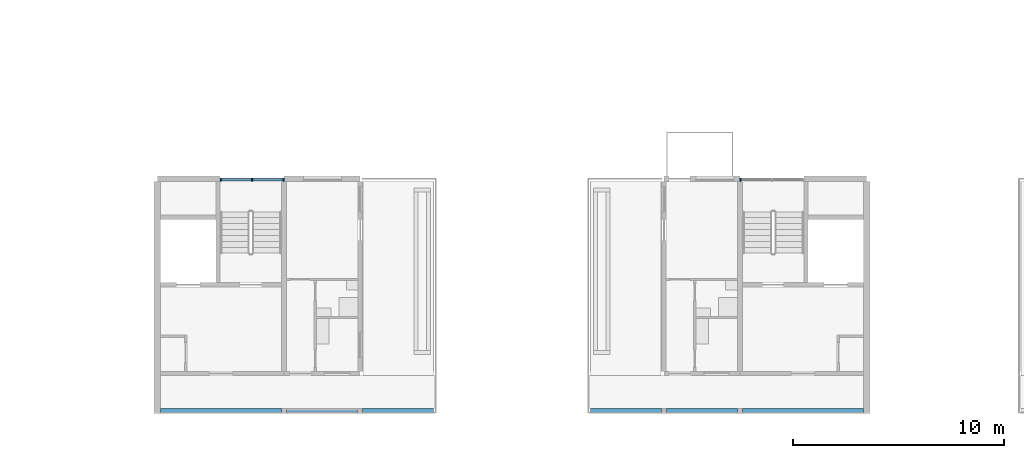
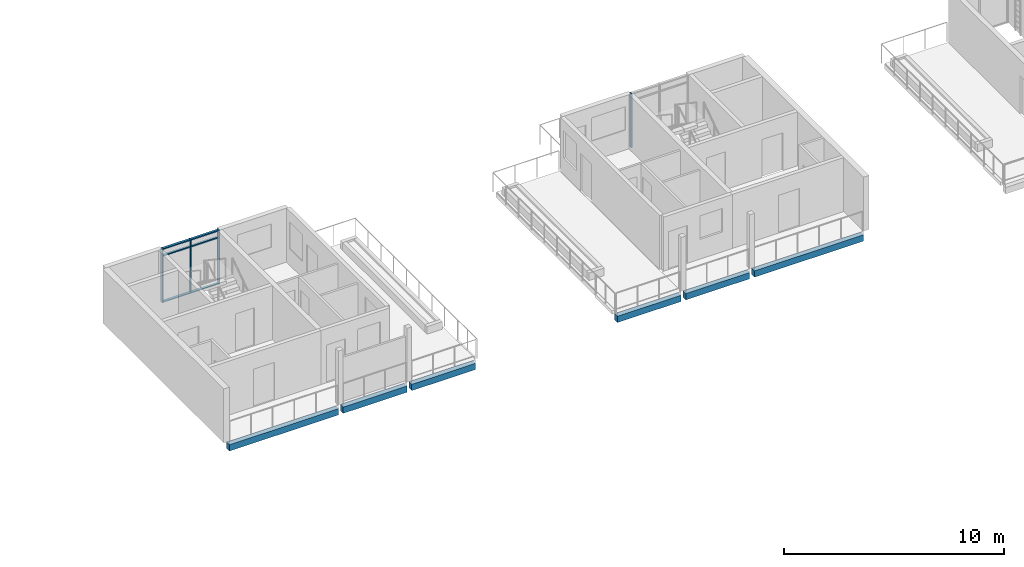
# One storey, part 7 of 41: 10 members, 6 beams, 2 elements without a shape of their own.
"""IFC4 building model written with IfcOpenShell, lengths in metres."""

import ifcopenshell
import ifcopenshell.guid

model = None  # the IFC model being written
_history = None  # IfcOwnerHistory: only IFC2X3 demands one
_inside = {}  # id of a spatial element -> (the spatial element, [elements in it])
_under = {}  # id of a project, library or spatial element -> (it, [spatial elements below it])
_declared = {}  # id of a project -> (the project, [libraries it declares])
_typed = {}  # id of a type object -> (the type object, [elements of that type])
_made_of = {}  # id of a material, layer set ... -> (it, [elements and type objects made of it])


def new_model(schema):
    """Start an empty IFC model of exactly this schema.

    Asked for "IFC4X3", IfcOpenShell would pick the latest addendum, in which some entities
    have other attributes; the version numbers below select the first issue.
    IFC2X3 requires an IfcOwnerHistory on every rooted entity: one is made here for all.
    """
    global model, _history
    if schema == "IFC4X3":
        model = ifcopenshell.file(schema_version=(4, 3, 0, 0))
    else:
        model = ifcopenshell.file(schema=schema)
    _inside.clear()
    _under.clear()
    _declared.clear()
    _typed.clear()
    _made_of.clear()
    _history = None
    if model.schema == "IFC2X3":
        org = make("IfcOrganization", Name="unknown")
        user = make(
            "IfcPersonAndOrganization",
            ThePerson=make("IfcPerson", FamilyName="unknown"),
            TheOrganization=org,
        )
        app = make(
            "IfcApplication",
            ApplicationDeveloper=org,
            Version="unknown",
            ApplicationFullName="unknown",
            ApplicationIdentifier="unknown",
        )
        _history = make(
            "IfcOwnerHistory",
            OwningUser=user,
            OwningApplication=app,
            ChangeAction="ADDED",
            CreationDate=0,
        )
    return model


def make(cls, **values):
    """One entity of the class cls with the attributes given. An attribute that is None is left unset."""
    return model.create_entity(
        cls, **{name: value for name, value in values.items() if value is not None}
    )


def rooted(cls, **values):
    """An entity with a GlobalId (a new one), such as an element, a storey or a relation."""
    return make(cls, GlobalId=ifcopenshell.guid.new(), OwnerHistory=_history, **values)


def si_unit(unit_type, name, prefix=None):
    """IfcSIUnit, for example si_unit("LENGTHUNIT", "METRE", prefix="MILLI")."""
    return make("IfcSIUnit", UnitType=unit_type, Prefix=prefix, Name=name)


def assignment(units):
    """IfcUnitAssignment: the units of a project."""
    return None if units is None else make("IfcUnitAssignment", Units=units)


def point(xyz):
    """IfcCartesianPoint."""
    return None if xyz is None else make("IfcCartesianPoint", Coordinates=xyz)


def direction(xyz):
    """IfcDirection."""
    return None if xyz is None else make("IfcDirection", DirectionRatios=xyz)


def frame(location, z_axis=None, x_axis=None):
    """IfcAxis2Placement3D, a coordinate frame: its origin and axes. An axis left out is left unset."""
    return make(
        "IfcAxis2Placement3D",
        Location=point(location),
        Axis=direction(z_axis),
        RefDirection=direction(x_axis),
    )


def frame_2d(location, x_axis=None):
    """IfcAxis2Placement2D, a coordinate frame in the plane: its origin and x axis."""
    return make(
        "IfcAxis2Placement2D", Location=point(location), RefDirection=direction(x_axis)
    )


def origin():
    """The frame at (0, 0, 0) with its axes left unset."""
    return frame((0.0, 0.0, 0.0))


def origin_2d():
    """The frame at (0, 0) in the plane with its x axis left unset."""
    return frame_2d((0.0, 0.0))


def place(relative_to, where):
    """IfcLocalPlacement: puts the frame where relative to a parent placement (None: the world)."""
    return make(
        "IfcLocalPlacement", PlacementRelTo=relative_to, RelativePlacement=where
    )


def context(
    kind, dimensions, precision=None, world=None, true_north=None, identifier=None
):
    """IfcGeometricRepresentationContext, for example the 3D "Model" context."""
    return make(
        "IfcGeometricRepresentationContext",
        ContextIdentifier=identifier,
        ContextType=kind,
        CoordinateSpaceDimension=dimensions,
        Precision=precision,
        WorldCoordinateSystem=world,
        TrueNorth=true_north,
    )


def subcontext(parent, identifier, kind, view, scale=None):
    """IfcGeometricRepresentationSubContext, for example "Body" below "Model"."""
    return make(
        "IfcGeometricRepresentationSubContext",
        ContextIdentifier=identifier,
        ContextType=kind,
        ParentContext=parent,
        TargetScale=scale,
        TargetView=view,
    )


def project(units=None, contexts=None):
    """IfcProject with its units and contexts."""
    return rooted(
        "IfcProject",
        Name="project",
        RepresentationContexts=contexts,
        UnitsInContext=assignment(units),
    )


def spatial(cls, under=None, at=None, **own):
    """A site, building, storey or space (cls), placed at a placement, below another one or the project."""
    s = rooted(cls, ObjectPlacement=at, **own)
    if under is not None:
        _under.setdefault(under.id(), (under, []))[1].append(s)
    return s


def profile(cls, at=None, kind="AREA", **sizes):
    """A parametric profile (cls). Its sizes go by their IFC names, for example OverallWidth=200.0."""
    return make(cls, ProfileType=kind, Position=at, **sizes)


def rectangle(**sizes):
    """IfcRectangleProfileDef."""
    return profile("IfcRectangleProfileDef", **sizes)


def extrude(swept, where, along, depth):
    """IfcExtrudedAreaSolid: the profile swept, set in the frame where, extruded along a direction by depth."""
    return make(
        "IfcExtrudedAreaSolid",
        SweptArea=swept,
        Position=where,
        ExtrudedDirection=direction(along),
        Depth=depth,
    )


def shape(context_of_items, identifier, shape_type, items):
    """IfcShapeRepresentation: the items that make up one representation, for example the "Body"."""
    return make(
        "IfcShapeRepresentation",
        ContextOfItems=context_of_items,
        RepresentationIdentifier=identifier,
        RepresentationType=shape_type,
        Items=items,
    )


def material(Name=None, Category=None):
    """IfcMaterial."""
    return make("IfcMaterial", Name=Name, Category=Category)


def material_profile(
    of_material, cross_section, Name=None, Category=None, Priority=None
):
    """IfcMaterialProfile: a cross section and its material."""
    return make(
        "IfcMaterialProfile",
        Name=Name,
        Material=of_material,
        Profile=cross_section,
        Priority=Priority,
        Category=Category,
    )


def profile_set(profiles, Name=None, composite=None):
    """IfcMaterialProfileSet."""
    return make(
        "IfcMaterialProfileSet",
        Name=Name,
        MaterialProfiles=profiles,
        CompositeProfile=composite,
    )


def made_of(thing, what):
    """Note that an element or type object is made of a material, layer set ...; save() writes the relation."""
    if what is not None:
        _made_of.setdefault(what.id(), (what, []))[1].append(thing)
    return thing


def type_object(cls, material=None, **own):
    """A type object (cls), such as IfcWallType, which elements share."""
    return made_of(rooted(cls, **own), material)


def element(
    cls,
    number,
    at=None,
    inside=None,
    cuts=None,
    type_object=None,
    material=None,
    context=None,
    identifier="Body",
    shape_type=None,
    held_by="IfcProductDefinitionShape",
    body=None,
    shapes=None,
    **own,
):
    """One element of the class cls, such as IfcWall. Its Tag is "e" and its number.

    at: its placement. inside: the storey or other place that contains it. cuts: it is an
    opening in that element (IfcRelVoidsElement). A single representation is given by context,
    identifier, shape_type and body (its items); several are given by shapes. held_by: the class
    of the entity that holds the representations. save() writes the other relations.
    """
    e = rooted(cls, Tag="e%d" % number, ObjectPlacement=at, **own)
    if body is not None:
        shapes = [shape(context, identifier, shape_type, body)]
    if shapes is not None:
        e.Representation = make(held_by, Representations=shapes)
    if inside is not None:
        _inside.setdefault(inside.id(), (inside, []))[1].append(e)
    if cuts is not None:
        rooted(
            "IfcRelVoidsElement", RelatingBuildingElement=cuts, RelatedOpeningElement=e
        )
    if type_object is not None:
        _typed.setdefault(type_object.id(), (type_object, []))[1].append(e)
    return made_of(e, material)


def aggregate(whole, parts):
    """IfcRelAggregates: a whole, such as a stair, and the parts it consists of."""
    return rooted("IfcRelAggregates", RelatingObject=whole, RelatedObjects=parts)


def save(model, path):
    """Write the relations noted so far, then the file.

    IfcRelAggregates (storeys below a building ...), IfcRelContainedInSpatialStructure (elements
    in a storey), IfcRelDefinesByType, IfcRelAssociatesMaterial and IfcRelDeclares: one each for
    every whole, place, type object, material and project.
    """
    for whole, parts in _under.values():
        aggregate(whole, parts)
    for where, things in _inside.values():
        rooted(
            "IfcRelContainedInSpatialStructure",
            RelatedElements=things,
            RelatingStructure=where,
        )
    for kind, things in _typed.values():
        rooted("IfcRelDefinesByType", RelatedObjects=things, RelatingType=kind)
    for what, things in _made_of.values():
        rooted("IfcRelAssociatesMaterial", RelatedObjects=things, RelatingMaterial=what)
    for by, libraries in _declared.values():
        rooted("IfcRelDeclares", RelatingContext=by, RelatedDefinitions=libraries)
    model.write(path)


model = new_model("IFC4")

# Units and contexts
model_context = context("Model", 3, precision=1e-05, world=origin(), true_north=direction((0.0, 1.0)))
body_context = subcontext(model_context, "Body", "Model", "MODEL_VIEW")
ifc_project = project(units=[si_unit("LENGTHUNIT", "METRE"), si_unit("AREAUNIT", "SQUARE_METRE"), si_unit("VOLUMEUNIT", "CUBIC_METRE"), si_unit("PLANEANGLEUNIT", "RADIAN"), si_unit("MASSUNIT", "GRAM", prefix="KILO")], contexts=[model_context])

# Site, building, storey
site_placement = place(None, origin())
site = spatial("IfcSite", under=ifc_project, at=site_placement, CompositionType="ELEMENT")
building_placement = place(site_placement, origin())
building = spatial("IfcBuilding", under=site, at=building_placement, Name="Ridgestep Commons", CompositionType="ELEMENT")
storey_placement = place(building_placement, frame((0.0, 0.0, 39.0)))
storey = spatial("IfcBuildingStorey", under=building, at=storey_placement, Name="L13", CompositionType="ELEMENT", Elevation=39.0)

# Beams
ifc_material_1 = material(Name="Precast concrete C40/50", Category="concrete")
ifc_material_profile_1 = material_profile(ifc_material_1, rectangle(XDim=0.25, YDim=0.35009765625, at=origin_2d()), Name="PC 250x350")
ifc_profile_set_1 = profile_set([ifc_material_profile_1], Name="Precast concrete C40/50")
beam_type = type_object("IfcBeamType", Name="Loggia edge beam 250 x 350", PredefinedType="SPANDREL", material=ifc_profile_set_1)
beam_1_placement = place(storey_placement, frame((163.75, 11.875, -0.375), z_axis=(1.0, 0.0, 0.0), x_axis=(0.0, 1.0, 0.0)))
element("IfcBeam", 1, at=beam_1_placement, inside=storey, type_object=beam_type, Name="Loggia edge beam D2C L13", PredefinedType="SPANDREL", context=body_context, shape_type="SweptSolid", body=[
    extrude(rectangle(XDim=0.25, YDim=0.35009765625, at=origin_2d()), origin(), (0.0, 0.0, 1.0), 5.72509765625),
])
beam_2_placement = place(storey_placement, frame((169.72509765625, 11.875, -0.375), z_axis=(1.0, 0.0, 0.0), x_axis=(0.0, 1.0, 0.0)))
element("IfcBeam", 2, at=beam_2_placement, inside=storey, type_object=beam_type, Name="Loggia edge beam D2T3 L13", PredefinedType="SPANDREL", context=body_context, shape_type="SweptSolid", body=[
    extrude(rectangle(XDim=0.25, YDim=0.35009765625, at=origin_2d()), origin(), (0.0, 0.0, 1.0), 3.349853515625),
])
for number, where, z_axis, x_axis, name in (
    (3, (173.324951171875, 11.875, -0.375), (1.0, 0.0, 0.0), (0.0, 1.0, 0.0), "Loggia edge beam D2T2 L13"),
    (4, (184.125, 11.875, -0.375), (1.0, 0.0, 0.0), (0.0, 1.0, 0.0), "Loggia edge beam D3T2 L13"),
):
    element("IfcBeam", number, at=place(storey_placement, frame(where, z_axis=z_axis, x_axis=x_axis)), inside=storey, type_object=beam_type, Name=name, PredefinedType="SPANDREL", context=body_context, shape_type="SweptSolid", body=[
        extrude(rectangle(XDim=0.25, YDim=0.35009765625, at=origin_2d()), origin(), (0.0, 0.0, 1.0), 3.35009765625),
    ])
beam_3_placement = place(storey_placement, frame((187.72509765625, 11.875, -0.375), z_axis=(1.0, 0.0, 0.0), x_axis=(0.0, 1.0, 0.0)))
element("IfcBeam", 5, at=beam_3_placement, inside=storey, type_object=beam_type, Name="Loggia edge beam D3T3 L13", PredefinedType="SPANDREL", context=body_context, shape_type="SweptSolid", body=[
    extrude(rectangle(XDim=0.25, YDim=0.35009765625, at=origin_2d()), origin(), (0.0, 0.0, 1.0), 3.349853515625),
])
beam_4_placement = place(storey_placement, frame((191.324951171875, 11.875, -0.375), z_axis=(1.0, 0.0, 0.0), x_axis=(0.0, 1.0, 0.0)))
element("IfcBeam", 6, at=beam_4_placement, inside=storey, type_object=beam_type, Name="Loggia edge beam D3C L13", PredefinedType="SPANDREL", context=body_context, shape_type="SweptSolid", body=[
    extrude(rectangle(XDim=0.25, YDim=0.35009765625, at=origin_2d()), origin(), (0.0, 0.0, 1.0), 5.72509765625),
])

# Curtain wall, members
ifc_material_2 = material(Name="Aluminium 6063-T6 and glass", Category="aluminium")
curtain_wall_type = type_object("IfcCurtainWallType", Name="Curtain wall stair strip", PredefinedType="NOTDEFINED", material=ifc_material_2)
curtain_wall_1_placement = place(storey_placement, origin())
curtain_wall_1 = element("IfcCurtainWall", 7, at=curtain_wall_1_placement, inside=storey, type_object=curtain_wall_type, Name="Curtain wall D2C level 13", PredefinedType="NOTDEFINED")
ifc_material_3 = material(Name="Aluminium 6063-T6", Category="aluminium")
ifc_material_profile_2 = material_profile(ifc_material_3, rectangle(XDim=0.159912109375, YDim=0.06005859375, at=origin_2d()), Name="Mullion 60 x 160")
ifc_profile_set_2 = profile_set([ifc_material_profile_2], Name="Aluminium 6063-T6")
member_type_1 = type_object("IfcMemberType", Name="Mullion 60 x 160", PredefinedType="MULLION", material=ifc_profile_set_2)
member_1_placement = place(storey_placement, frame((166.60498046875, 22.830078125, 0.0), z_axis=(0.0, 0.0, 1.0), x_axis=(0.0, 1.0, 0.0)))
member_1 = element("IfcMember", 8, at=member_1_placement, type_object=member_type_1, Name="CW1 mullion 1", PredefinedType="MULLION", context=body_context, shape_type="SweptSolid", body=[
    extrude(rectangle(XDim=0.159912109375, YDim=0.06005859375, at=origin_2d()), origin(), (0.0, 0.0, 1.0), 3.0),
])
member_2_placement = place(storey_placement, frame((168.08740234375, 22.830078125, 0.0), z_axis=(0.0, 0.0, 1.0), x_axis=(0.0, 1.0, 0.0)))
member_2 = element("IfcMember", 9, at=member_2_placement, type_object=member_type_1, Name="CW1 mullion 2", PredefinedType="MULLION", context=body_context, shape_type="SweptSolid", body=[
    extrude(rectangle(XDim=0.159912109375, YDim=0.06005859375, at=origin_2d()), origin(), (0.0, 0.0, 1.0), 3.0),
])
member_3_placement = place(storey_placement, frame((169.570068359375, 22.830078125, 0.0), z_axis=(0.0, 0.0, 1.0), x_axis=(0.0, 1.0, 0.0)))
member_3 = element("IfcMember", 10, at=member_3_placement, type_object=member_type_1, Name="CW1 mullion 3", PredefinedType="MULLION", context=body_context, shape_type="SweptSolid", body=[
    extrude(rectangle(XDim=0.159912109375, YDim=0.06005859375, at=origin_2d()), origin(), (0.0, 0.0, 1.0), 3.0),
])

# Curtain wall, member
curtain_wall_2_placement = place(storey_placement, origin())
curtain_wall_2 = element("IfcCurtainWall", 11, at=curtain_wall_2_placement, inside=storey, type_object=curtain_wall_type, Name="Curtain wall D3C level 13", PredefinedType="NOTDEFINED")
member_4_placement = place(storey_placement, frame((191.22998046875, 22.830078125, 0.0), z_axis=(0.0, 0.0, 1.0), x_axis=(0.0, 1.0, 0.0)))
member_4 = element("IfcMember", 12, at=member_4_placement, type_object=member_type_1, Name="CW1 mullion 1", PredefinedType="MULLION", context=body_context, shape_type="SweptSolid", body=[
    extrude(rectangle(XDim=0.159912109375, YDim=0.06005859375, at=origin_2d()), origin(), (0.0, 0.0, 1.0), 3.0),
])
aggregate(curtain_wall_2, [member_4])

# Member
ifc_material_4 = material(Name="Aluminium 6063-T6", Category="aluminium")
ifc_material_profile_3 = material_profile(ifc_material_4, rectangle(XDim=0.1201171875, YDim=0.06005859375, at=origin_2d()), Name="Transom 60 x 120")
ifc_profile_set_3 = profile_set([ifc_material_profile_3], Name="Aluminium 6063-T6")
member_type_2 = type_object("IfcMemberType", Name="Transom 60 x 120", PredefinedType="USERDEFINED", material=ifc_profile_set_3)
member_5_placement = place(storey_placement, frame((166.635009765625, 22.830078125, 0.030029296875), z_axis=(1.0, 0.0, 0.0), x_axis=(0.0, 1.0, 0.0)))
member_5 = element("IfcMember", 13, at=member_5_placement, type_object=member_type_2, Name="CW1 transom 1.1", ObjectType="TRANSOM", PredefinedType="USERDEFINED", context=body_context, shape_type="SweptSolid", body=[
    extrude(rectangle(XDim=0.1201171875, YDim=0.06005859375, at=origin_2d()), origin(), (0.0, 0.0, 1.0), 1.422607421875),
])

member_6_placement = place(storey_placement, frame((166.635009765625, 22.830078125, 2.590087890625), z_axis=(1.0, 0.0, 0.0), x_axis=(0.0, 1.0, 0.0)))
member_6 = element("IfcMember", 14, at=member_6_placement, type_object=member_type_2, Name="CW1 transom 1.2", ObjectType="TRANSOM", PredefinedType="USERDEFINED", context=body_context, shape_type="SweptSolid", body=[
    extrude(rectangle(XDim=0.1201171875, YDim=0.06005859375, at=origin_2d()), origin(), (0.0, 0.0, 1.0), 1.422607421875),
])

member_7_placement = place(storey_placement, frame((166.635009765625, 22.830078125, 2.969970703125), z_axis=(1.0, 0.0, 0.0), x_axis=(0.0, 1.0, 0.0)))
member_7 = element("IfcMember", 15, at=member_7_placement, type_object=member_type_2, Name="CW1 transom 1.3", ObjectType="TRANSOM", PredefinedType="USERDEFINED", context=body_context, shape_type="SweptSolid", body=[
    extrude(rectangle(XDim=0.1201171875, YDim=0.06005859375, at=origin_2d()), origin(), (0.0, 0.0, 1.0), 1.422607421875),
])

member_8_placement = place(storey_placement, frame((168.117431640625, 22.830078125, 0.030029296875), z_axis=(1.0, 0.0, 0.0), x_axis=(0.0, 1.0, 0.0)))
member_8 = element("IfcMember", 16, at=member_8_placement, type_object=member_type_2, Name="CW1 transom 2.1", ObjectType="TRANSOM", PredefinedType="USERDEFINED", context=body_context, shape_type="SweptSolid", body=[
    extrude(rectangle(XDim=0.1201171875, YDim=0.06005859375, at=origin_2d()), origin(), (0.0, 0.0, 1.0), 1.422607421875),
])

member_9_placement = place(storey_placement, frame((168.117431640625, 22.830078125, 2.590087890625), z_axis=(1.0, 0.0, 0.0), x_axis=(0.0, 1.0, 0.0)))
member_9 = element("IfcMember", 17, at=member_9_placement, type_object=member_type_2, Name="CW1 transom 2.2", ObjectType="TRANSOM", PredefinedType="USERDEFINED", context=body_context, shape_type="SweptSolid", body=[
    extrude(rectangle(XDim=0.1201171875, YDim=0.06005859375, at=origin_2d()), origin(), (0.0, 0.0, 1.0), 1.422607421875),
])

member_10_placement = place(storey_placement, frame((168.117431640625, 22.830078125, 2.969970703125), z_axis=(1.0, 0.0, 0.0), x_axis=(0.0, 1.0, 0.0)))
member_10 = element("IfcMember", 18, at=member_10_placement, type_object=member_type_2, Name="CW1 transom 2.3", ObjectType="TRANSOM", PredefinedType="USERDEFINED", context=body_context, shape_type="SweptSolid", body=[
    extrude(rectangle(XDim=0.1201171875, YDim=0.06005859375, at=origin_2d()), origin(), (0.0, 0.0, 1.0), 1.422607421875),
])

aggregate(curtain_wall_1, [member_1, member_2, member_3, member_5, member_6, member_7, member_8, member_9, member_10])

save(model, "model.ifc")
